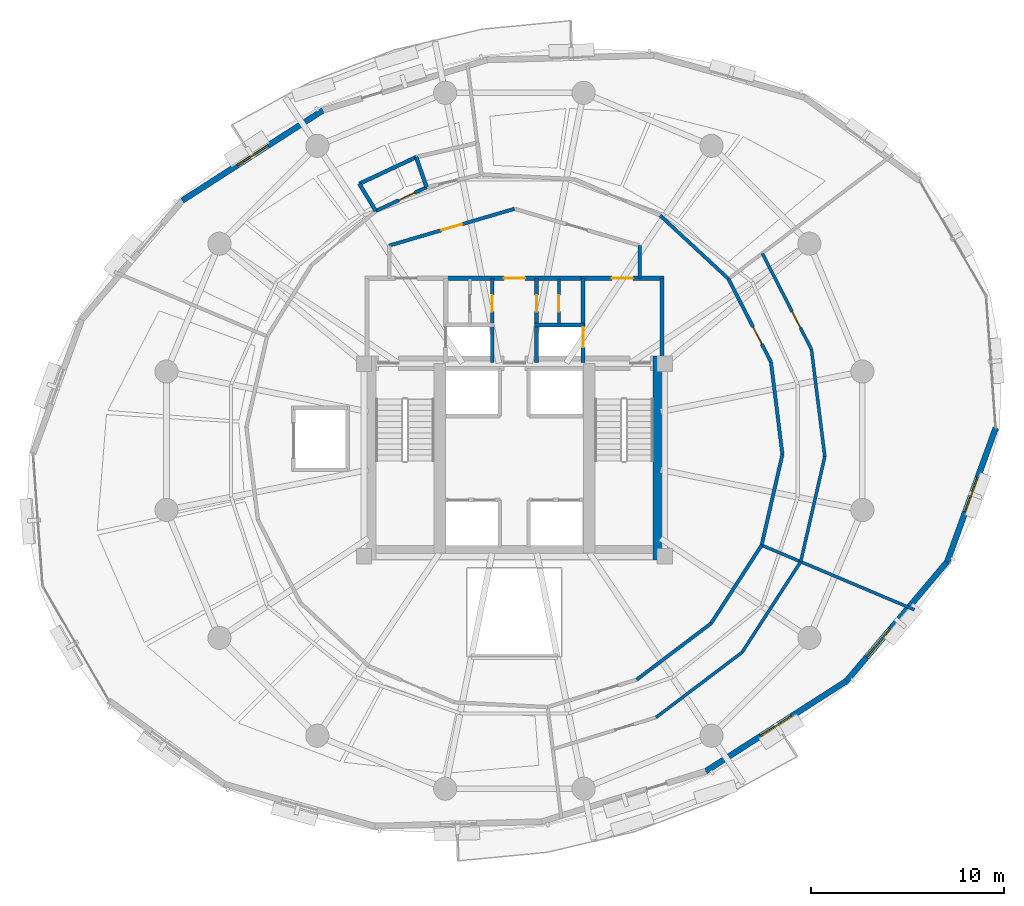
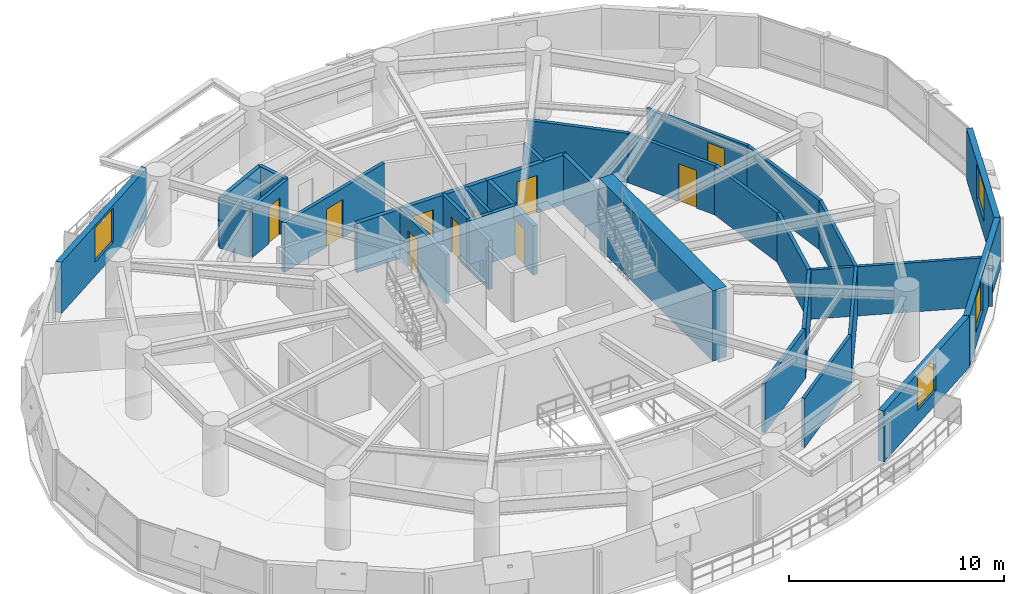
# One storey, part 11 of 15: 31 walls, 10 doors, 4 windows, 14 openings.
"""IFC4 building model written with IfcOpenShell, lengths in metres."""

from ifc_helpers import new_model, si_unit, direction, frame, frame_2d, origin, place, context, subcontext, project, spatial, rectangle, extrude, material, layer, layer_set, type_object, element, fill, save


model = new_model("IFC4")

# Units and contexts
model_context = context("Model", 3, precision=1e-05, world=origin(), true_north=direction((0.0, 1.0)))
body_context = subcontext(model_context, "Body", "Model", "MODEL_VIEW")
ifc_project = project(units=[si_unit("LENGTHUNIT", "METRE"), si_unit("AREAUNIT", "SQUARE_METRE"), si_unit("VOLUMEUNIT", "CUBIC_METRE"), si_unit("PLANEANGLEUNIT", "RADIAN"), si_unit("MASSUNIT", "GRAM", prefix="KILO"), si_unit("THERMODYNAMICTEMPERATUREUNIT", "KELVIN"), si_unit("POWERUNIT", "WATT")], contexts=[model_context])

# Site, building, storey
site_placement = place(None, origin())
site = spatial("IfcSite", under=ifc_project, at=site_placement, CompositionType="ELEMENT")
building_placement = place(site_placement, origin())
building = spatial("IfcBuilding", under=site, at=building_placement, Name="Ocrelia Relay Tower", CompositionType="ELEMENT")
storey_placement = place(building_placement, frame((0.0, 0.0, 105.800048828125)))
storey = spatial("IfcBuildingStorey", under=building, at=storey_placement, Name="L24", CompositionType="ELEMENT", Elevation=105.800048828125)

# Walls
ifc_material_1 = material(Name="Concrete C60/75", Category="concrete")
ifc_layer_1 = layer(ifc_material_1, 0.75, Name="Concrete C60/75")
ifc_layer_set_1 = layer_set([ifc_layer_1], Name="Concrete C60/75")
wall_type_1 = type_object("IfcWallType", Name="CW-CORE-750", PredefinedType="SHEAR", material=ifc_layer_set_1)
wall_1_placement = place(storey_placement, frame((41.56298828125, 19.81201171875, 0.0), z_axis=(0.0, 0.0, 1.0), x_axis=(0.0, 1.0, 0.0)))
element("IfcWall", 1, at=wall_1_placement, inside=storey, type_object=wall_type_1, Name="L24 Core Shear Wall E", PredefinedType="SHEAR", context=body_context, shape_type="SweptSolid", body=[
    extrude(rectangle(XDim=10.575927734375, YDim=0.75, at=frame_2d((5.2880859375, 0.0))), origin(), (0.0, 0.0, 1.0), 4.0),
])
ifc_material_2 = material(Name="Gypsum Fireboard Partition EI60", Category="gypsum")
ifc_layer_2 = layer(ifc_material_2, 0.179931640625, Name="Gypsum Fireboard Partition EI60")
ifc_layer_set_2 = layer_set([ifc_layer_2], Name="Gypsum Fireboard Partition EI60")
wall_type_2 = type_object("IfcWallType", Name="W-CORR-EI60-180", PredefinedType="PARTITIONING", material=ifc_layer_set_2)
wall_2_placement = place(storey_placement, frame((40.5, 36.122802734375, 0.0), z_axis=(0.0, 0.0, 1.0), x_axis=(0.0, -1.0, 0.0)))
element("IfcWall", 2, at=wall_2_placement, inside=storey, type_object=wall_type_2, Name="L24 Smoke Lobby East Return", PredefinedType="PARTITIONING", context=body_context, shape_type="SweptSolid", body=[
    extrude(rectangle(XDim=1.69287109375, YDim=0.179931640625, at=frame_2d((0.846435546875, 0.0))), origin(), (0.0, 0.0, 1.0), 2.800048828125),
])

# Wall, opening, door
wall_3_placement = place(storey_placement, frame((27.5, 36.122802734375, 0.0), z_axis=(0.0, 0.0, 1.0), x_axis=(0.959546654541, 0.281549671923, 0.0)))
wall_3 = element("IfcWall", 3, at=wall_3_placement, inside=storey, type_object=wall_type_2, Name="L24 North Smoke Lobby W Screen Wall", PredefinedType="PARTITIONING", context=body_context, shape_type="SweptSolid", body=[
    extrude(rectangle(XDim=6.77392578125, YDim=0.179931640625, at=frame_2d((3.386962890625, 0.0))), origin(), (0.0, 0.0, 1.0), 2.800048828125),
])
opening_1_placement = place(wall_3_placement, frame((2.8369140625, 0.0, 0.0)))
opening_1 = element("IfcOpeningElement", 4, at=opening_1_placement, cuts=wall_3, Name="Opening D-FD60", PredefinedType="OPENING", context=body_context, shape_type="SweptSolid", body=[
    extrude(rectangle(XDim=1.10009765625, YDim=2.14990234375, at=frame_2d((0.550048828125, 1.074951171875))), frame((0.0, 0.10009765625, 0.0), z_axis=(0.0, -1.0, 0.0), x_axis=(1.0, 0.0, 0.0)), (0.0, 0.0, 1.0), 0.199951171875),
])
ifc_material_3 = material(Name="Timber-core 60-min acoustic fire door", Category="wood")
door_type_1 = type_object("IfcDoorType", Name="DR-LOBBY-FD60-1100", OperationType="NOTDEFINED", PredefinedType="DOOR", material=ifc_material_3)
door_1_placement = place(opening_1_placement, origin())
door_1 = element("IfcDoor", 5, at=door_1_placement, inside=storey, type_object=door_type_1, Name="L24 North Smoke Lobby W Fire Door", OperationType="SINGLE_SWING_RIGHT", OverallHeight=2.14990234375, OverallWidth=1.10009765625, PredefinedType="DOOR", context=body_context, shape_type="SweptSolid", body=[
    extrude(rectangle(XDim=1.10009765625, YDim=2.14990234375, at=frame_2d((0.550048828125, 1.074951171875))), frame((0.0, 0.02490234375, 0.0), z_axis=(0.0, -1.0, 0.0), x_axis=(1.0, 0.0, 0.0)), (0.0, 0.0, 1.0), 0.050048828125),
])
fill(opening_1, door_1)

wall_4_placement = place(storey_placement, frame((29.445068359375, 39.15380859375, 0.0), z_axis=(0.0, 0.0, 1.0), x_axis=(-0.905545564417, -0.424249019757, 0.0)))
wall_4 = element("IfcWall", 6, at=wall_4_placement, inside=storey, type_object=wall_type_2, Name="L24 Accessible Toilet Corridor Wall", PredefinedType="PARTITIONING", context=body_context, shape_type="SweptSolid", body=[
    extrude(rectangle(XDim=2.91015625, YDim=0.179931640625, at=frame_2d((1.455078125, 0.0))), origin(), (0.0, 0.0, 1.0), 2.800048828125),
])
opening_2_placement = place(wall_4_placement, frame((0.6689453125, 0.0, 0.0)))
opening_2 = element("IfcOpeningElement", 7, at=opening_2_placement, cuts=wall_4, Name="Opening D-WC92", PredefinedType="OPENING", context=body_context, shape_type="SweptSolid", body=[
    extrude(rectangle(XDim=0.919921875, YDim=2.10009765625, at=frame_2d((0.4599609375, 1.050048828125))), frame((0.0, 0.10009765625, 0.0), z_axis=(0.0, -1.0, 0.0), x_axis=(1.0, 0.0, 0.0)), (0.0, 0.0, 1.0), 0.199951171875),
])
ifc_material_4 = material(Name="Laminate washroom door", Category="wood")
door_type_2 = type_object("IfcDoorType", Name="DR-WC-920", OperationType="NOTDEFINED", PredefinedType="DOOR", material=ifc_material_4)
door_2_placement = place(opening_2_placement, origin())
door_2 = element("IfcDoor", 8, at=door_2_placement, inside=storey, type_object=door_type_2, Name="L24 Accessible Toilet Door", OperationType="SINGLE_SWING_LEFT", OverallHeight=2.10009765625, OverallWidth=0.919921875, PredefinedType="DOOR", context=body_context, shape_type="SweptSolid", body=[
    extrude(rectangle(XDim=0.919921875, YDim=2.10009765625, at=frame_2d((0.4599609375, 1.050048828125))), frame((0.0, 0.02490234375, 0.0), z_axis=(0.0, -1.0, 0.0), x_axis=(1.0, 0.0, 0.0)), (0.0, 0.0, 1.0), 0.050048828125),
])
fill(opening_2, door_2)

# Walls
for number, where, z_axis, x_axis, name in (
    (9, (40.34130859375, 13.608154296875, 0.0), (0.0, 0.0, 1.0), (0.797563327101, 0.60323522714, 0.0), "L24 Routing Office C Corridor Partition 2"),
    (10, (44.197021484375, 16.5244140625, 0.0), (0.0, 0.0, 1.0), (0.543180083248, 0.839616220164, 0.0), "L24 Routing Office C Corridor Partition 3"),
):
    element("IfcWall", number, at=place(storey_placement, frame(where, z_axis=z_axis, x_axis=x_axis)), inside=storey, type_object=wall_type_2, Name=name, PredefinedType="PARTITIONING", context=body_context, shape_type="SweptSolid", body=[
        extrude(rectangle(XDim=4.83447265625, YDim=0.179931640625, at=frame_2d((2.417236328125, 0.0))), origin(), (0.0, 0.0, 1.0), 2.800048828125),
    ])
wall_5_placement = place(storey_placement, frame((46.822998046875, 20.58349609375, 0.0), z_axis=(0.0, 0.0, 1.0), x_axis=(0.223225205637, 0.974766899094, 0.0)))
element("IfcWall", 11, at=wall_5_placement, inside=storey, type_object=wall_type_2, Name="L24 Peering Conference Room Corridor Partition 1", PredefinedType="PARTITIONING", context=body_context, shape_type="SweptSolid", body=[
    extrude(rectangle(XDim=4.834228515625, YDim=0.179931640625, at=frame_2d((2.4169921875, 0.0))), origin(), (0.0, 0.0, 1.0), 2.800048828125),
])
wall_6_placement = place(storey_placement, frame((47.902099609375, 25.295654296875, 0.0), z_axis=(0.0, 0.0, 1.0), x_axis=(-0.123574778046, 0.992335263019, 0.0)))
element("IfcWall", 12, at=wall_6_placement, inside=storey, type_object=wall_type_2, Name="L24 Peering Conference Room Corridor Partition 2", PredefinedType="PARTITIONING", context=body_context, shape_type="SweptSolid", body=[
    extrude(rectangle(XDim=4.83447265625, YDim=0.179931640625, at=frame_2d((2.417236328125, 0.0))), origin(), (0.0, 0.0, 1.0), 2.800048828125),
])

# Wall, opening, door
wall_7_placement = place(storey_placement, frame((47.3046875, 30.093017578125, 0.0), z_axis=(0.0, 0.0, 1.0), x_axis=(-0.455556779265, 0.890206729286, 0.0)))
wall_7 = element("IfcWall", 13, at=wall_7_placement, inside=storey, type_object=wall_type_2, Name="L24 Peering Conference Room Corridor Partition 3", PredefinedType="PARTITIONING", context=body_context, shape_type="SweptSolid", body=[
    extrude(rectangle(XDim=4.83447265625, YDim=0.179931640625, at=frame_2d((2.417236328125, 0.0))), origin(), (0.0, 0.0, 1.0), 2.800048828125),
])
opening_3_placement = place(wall_7_placement, frame((1.03369140625, 0.0, 0.0)))
opening_3 = element("IfcOpeningElement", 14, at=opening_3_placement, cuts=wall_7, Name="Opening D-RM100", PredefinedType="OPENING", context=body_context, shape_type="SweptSolid", body=[
    extrude(rectangle(XDim=1.0, YDim=2.14990234375, at=frame_2d((0.5, 1.074951171875))), frame((0.0, 0.10009765625, 0.0), z_axis=(0.0, -1.0, 0.0), x_axis=(1.0, 0.0, 0.0)), (0.0, 0.0, 1.0), 0.199951171875),
])
ifc_material_5 = material(Name="Acoustic oak veneer fire door", Category="wood")
door_type_3 = type_object("IfcDoorType", Name="DR-ROOM-FD60-1000", OperationType="NOTDEFINED", PredefinedType="DOOR", material=ifc_material_5)
door_3_placement = place(opening_3_placement, origin())
door_3 = element("IfcDoor", 15, at=door_3_placement, inside=storey, type_object=door_type_3, Name="L24 Peering Conference Room Entrance Door", OperationType="SINGLE_SWING_RIGHT", OverallHeight=2.14990234375, OverallWidth=1.0, PredefinedType="DOOR", context=body_context, shape_type="SweptSolid", body=[
    extrude(rectangle(XDim=1.0, YDim=2.14990234375, at=frame_2d((0.5, 1.074951171875))), frame((0.0, 0.02490234375, 0.0), z_axis=(0.0, -1.0, 0.0), x_axis=(1.0, 0.0, 0.0)), (0.0, 0.0, 1.0), 0.050048828125),
])
fill(opening_3, door_3)

# Wall
wall_8_placement = place(storey_placement, frame((45.102294921875, 34.396728515625, 0.0), z_axis=(0.0, 0.0, 1.0), x_axis=(-0.732539820955, 0.680724181086, 0.0)))
element("IfcWall", 16, at=wall_8_placement, inside=storey, type_object=wall_type_2, Name="L24 Shift Staff Lounge Corridor Partition 1", PredefinedType="PARTITIONING", context=body_context, shape_type="SweptSolid", body=[
    extrude(rectangle(XDim=4.834228515625, YDim=0.179931640625, at=frame_2d((2.4169921875, 0.0))), origin(), (0.0, 0.0, 1.0), 2.800048828125),
])

# Wall, opening, window
ifc_material_6 = material(Name="Precast concrete C40/50 with oxide terracotta", Category="masonry")
ifc_layer_3 = layer(ifc_material_6, 0.300048828125, Name="Precast concrete C40/50 with oxide terracotta")
ifc_layer_set_3 = layer_set([ifc_layer_3], Name="Precast concrete C40/50 with oxide terracotta")
wall_type_3 = type_object("IfcWallType", Name="W-EXT-TERR-300", PredefinedType="SOLIDWALL", material=ifc_layer_set_3)
wall_9_placement = place(storey_placement, frame((24.075439453125, 43.141845703125, 0.0), z_axis=(0.0, 0.0, 1.0), x_axis=(-0.841771559064, -0.539833902557, 0.0)))
wall_9 = element("IfcWall", 17, at=wall_9_placement, inside=storey, type_object=wall_type_3, Name="L24 Oxide Terracotta Facade Wall 06", PredefinedType="SOLIDWALL", context=body_context, shape_type="SweptSolid", body=[
    extrude(rectangle(XDim=8.6728515625, YDim=0.300048828125, at=frame_2d((4.33642578125, 0.0))), origin(), (0.0, 0.0, 1.0), 2.89990234375),
])
opening_4_placement = place(wall_9_placement, frame((3.385986328125, 0.0, 0.800048828125)))
opening_4 = element("IfcOpeningElement", 18, at=opening_4_placement, cuts=wall_9, Name="Opening W-06", PredefinedType="OPENING", context=body_context, shape_type="SweptSolid", body=[
    extrude(rectangle(XDim=1.89990234375, YDim=1.949951171875, at=frame_2d((0.949951171875, 0.97509765625))), frame((0.0, 0.16015625, 0.0), z_axis=(0.0, -1.0, 0.0), x_axis=(1.0, 0.0, 0.0)), (0.0, 0.0, 1.0), 0.320068359375),
])
ifc_material_7 = material(Name="Clear double-glazed low-E glass", Category="glass")
window_type = type_object("IfcWindowType", Name="WIN-Z2-1900x2100", PartitioningType="DOUBLE_PANEL_VERTICAL", PredefinedType="WINDOW", material=ifc_material_7)
window_1_placement = place(opening_4_placement, origin())
window_1 = element("IfcWindow", 19, at=window_1_placement, inside=storey, type_object=window_type, Name="L24 Facade Module Window 06", OverallHeight=1.949951171875, OverallWidth=1.89990234375, PartitioningType="SINGLE_PANEL", PredefinedType="WINDOW", context=body_context, shape_type="SweptSolid", body=[
    extrude(rectangle(XDim=1.89990234375, YDim=1.949951171875, at=frame_2d((0.949951171875, 0.97509765625))), frame((0.0, 0.030029296875, 0.0), z_axis=(0.0, -1.0, 0.0), x_axis=(1.0, 0.0, 0.0)), (0.0, 0.0, 1.0), 0.06005859375),
])
fill(opening_4, window_1)

wall_10_placement = place(storey_placement, frame((43.924560546875, 8.858154296875, 0.0), z_axis=(0.0, 0.0, 1.0), x_axis=(0.841771559064, 0.539833902557, 0.0)))
wall_10 = element("IfcWall", 20, at=wall_10_placement, inside=storey, type_object=wall_type_3, Name="L24 Oxide Terracotta Facade Wall 15", PredefinedType="SOLIDWALL", context=body_context, shape_type="SweptSolid", body=[
    extrude(rectangle(XDim=8.6728515625, YDim=0.300048828125, at=frame_2d((4.33642578125, 0.0))), origin(), (0.0, 0.0, 1.0), 2.89990234375),
])
opening_5_placement = place(wall_10_placement, frame((3.385986328125, 0.0, 0.800048828125)))
opening_5 = element("IfcOpeningElement", 21, at=opening_5_placement, cuts=wall_10, Name="Opening W-06", PredefinedType="OPENING", context=body_context, shape_type="SweptSolid", body=[
    extrude(rectangle(XDim=1.89990234375, YDim=1.949951171875, at=frame_2d((0.949951171875, 0.97509765625))), frame((0.0, 0.16015625, 0.0), z_axis=(0.0, -1.0, 0.0), x_axis=(1.0, 0.0, 0.0)), (0.0, 0.0, 1.0), 0.320068359375),
])
window_2_placement = place(opening_5_placement, origin())
window_2 = element("IfcWindow", 22, at=window_2_placement, inside=storey, type_object=window_type, Name="L24 Facade Module Window 15", OverallHeight=1.949951171875, OverallWidth=1.89990234375, PartitioningType="SINGLE_PANEL", PredefinedType="WINDOW", context=body_context, shape_type="SweptSolid", body=[
    extrude(rectangle(XDim=1.89990234375, YDim=1.949951171875, at=frame_2d((0.949951171875, 0.97509765625))), frame((0.0, 0.030029296875, 0.0), z_axis=(0.0, -1.0, 0.0), x_axis=(1.0, 0.0, 0.0)), (0.0, 0.0, 1.0), 0.06005859375),
])
fill(opening_5, window_2)

wall_11_placement = place(storey_placement, frame((51.22509765625, 13.5400390625, 0.0), z_axis=(0.0, 0.0, 1.0), x_axis=(0.645225416489, 0.763992252524, 0.0)))
wall_11 = element("IfcWall", 23, at=wall_11_placement, inside=storey, type_object=wall_type_3, Name="L24 Oxide Terracotta Facade Wall 16", PredefinedType="SOLIDWALL", context=body_context, shape_type="SweptSolid", body=[
    extrude(rectangle(XDim=8.094970703125, YDim=0.300048828125, at=frame_2d((4.04736328125, 0.0))), origin(), (0.0, 0.0, 1.0), 2.89990234375),
])
opening_6_placement = place(wall_11_placement, frame((1.614990234375, 0.0, 0.800048828125)))
opening_6 = element("IfcOpeningElement", 24, at=opening_6_placement, cuts=wall_11, Name="Opening W-06", PredefinedType="OPENING", context=body_context, shape_type="SweptSolid", body=[
    extrude(rectangle(XDim=1.89990234375, YDim=1.949951171875, at=frame_2d((0.949951171875, 0.97509765625))), frame((0.0, 0.16015625, 0.0), z_axis=(0.0, -1.0, 0.0), x_axis=(1.0, 0.0, 0.0)), (0.0, 0.0, 1.0), 0.320068359375),
])
window_3_placement = place(opening_6_placement, origin())
window_3 = element("IfcWindow", 25, at=window_3_placement, inside=storey, type_object=window_type, Name="L24 Facade Module Window 16", OverallHeight=1.949951171875, OverallWidth=1.89990234375, PartitioningType="SINGLE_PANEL", PredefinedType="WINDOW", context=body_context, shape_type="SweptSolid", body=[
    extrude(rectangle(XDim=1.89990234375, YDim=1.949951171875, at=frame_2d((0.949951171875, 0.97509765625))), frame((0.0, 0.030029296875, 0.0), z_axis=(0.0, -1.0, 0.0), x_axis=(1.0, 0.0, 0.0)), (0.0, 0.0, 1.0), 0.06005859375),
])
fill(opening_6, window_3)

wall_12_placement = place(storey_placement, frame((56.4482421875, 19.724609375, 0.0), z_axis=(0.0, 0.0, 1.0), x_axis=(0.340712741233, 0.940167446767, 0.0)))
wall_12 = element("IfcWall", 26, at=wall_12_placement, inside=storey, type_object=wall_type_3, Name="L24 Oxide Terracotta Facade Wall 17", PredefinedType="SOLIDWALL", context=body_context, shape_type="SweptSolid", body=[
    extrude(rectangle(XDim=7.38330078125, YDim=0.300048828125, at=frame_2d((3.691650390625, 0.0))), origin(), (0.0, 0.0, 1.0), 2.89990234375),
])
opening_7_placement = place(wall_12_placement, frame((2.741943359375, 0.0, 0.800048828125)))
opening_7 = element("IfcOpeningElement", 27, at=opening_7_placement, cuts=wall_12, Name="Opening W-06", PredefinedType="OPENING", context=body_context, shape_type="SweptSolid", body=[
    extrude(rectangle(XDim=1.89990234375, YDim=1.949951171875, at=frame_2d((0.949951171875, 0.97509765625))), frame((0.0, 0.16015625, 0.0), z_axis=(0.0, -1.0, 0.0), x_axis=(1.0, 0.0, 0.0)), (0.0, 0.0, 1.0), 0.320068359375),
])
window_4_placement = place(opening_7_placement, origin())
window_4 = element("IfcWindow", 28, at=window_4_placement, inside=storey, type_object=window_type, Name="L24 Facade Module Window 17", OverallHeight=1.949951171875, OverallWidth=1.89990234375, PartitioningType="SINGLE_PANEL", PredefinedType="WINDOW", context=body_context, shape_type="SweptSolid", body=[
    extrude(rectangle(XDim=1.89990234375, YDim=1.949951171875, at=frame_2d((0.949951171875, 0.97509765625))), frame((0.0, 0.030029296875, 0.0), z_axis=(0.0, -1.0, 0.0), x_axis=(1.0, 0.0, 0.0)), (0.0, 0.0, 1.0), 0.06005859375),
])
fill(opening_7, window_4)

# Wall, opening, door
ifc_material_8 = material(Name="Concrete C50/60", Category="concrete")
ifc_layer_4 = layer(ifc_material_8, 0.219970703125, Name="Concrete C50/60")
ifc_layer_set_4 = layer_set([ifc_layer_4], Name="Concrete C50/60")
wall_type_4 = type_object("IfcWallType", Name="W-FFL-EI120-220", PredefinedType="SOLIDWALL", material=ifc_layer_set_4)
wall_13_placement = place(storey_placement, frame((37.56005859375, 30.050048828125, 0.0), z_axis=(0.0, 0.0, 1.0), x_axis=(0.0, 1.0, 0.0)))
wall_13 = element("IfcWall", 29, at=wall_13_placement, inside=storey, type_object=wall_type_4, Name="L24 E Fire Service Lift Lobby West Wall", PredefinedType="SOLIDWALL", context=body_context, shape_type="SweptSolid", body=[
    extrude(rectangle(XDim=4.3798828125, YDim=0.219970703125, at=frame_2d((2.18994140625, 0.0))), origin(), (0.0, 0.0, 1.0), 2.800048828125),
])
opening_8_placement = place(wall_13_placement, frame((0.800048828125, 0.0, 0.0)))
opening_8 = element("IfcOpeningElement", 30, at=opening_8_placement, cuts=wall_13, Name="Opening LD-FFL2", PredefinedType="OPENING", context=body_context, shape_type="SweptSolid", body=[
    extrude(rectangle(XDim=1.050048828125, YDim=2.10009765625, at=frame_2d((0.52490234375, 1.050048828125))), frame((0.0, 0.1201171875, 0.0), z_axis=(0.0, -1.0, 0.0), x_axis=(1.0, 0.0, 0.0)), (0.0, 0.0, 1.0), 0.239990234375),
])
ifc_material_9 = material(Name="Brushed stainless steel S355 lift landing door", Category="steel")
door_type_4 = type_object("IfcDoorType", Name="DR-LIFT-LAND-1050", OperationType="DOUBLE_DOOR_SLIDING", PredefinedType="USERDEFINED", material=ifc_material_9)
door_4_placement = place(opening_8_placement, origin())
door_4 = element("IfcDoor", 31, at=door_4_placement, inside=storey, type_object=door_type_4, Name="L24 Firefighting Lift FFL2 Sliding Landing Door", ObjectType="LANDING DOOR", OperationType="DOUBLE_DOOR_SLIDING", OverallHeight=2.10009765625, OverallWidth=1.050048828125, PredefinedType="USERDEFINED", context=body_context, shape_type="SweptSolid", body=[
    extrude(rectangle(XDim=1.050048828125, YDim=2.10009765625, at=frame_2d((0.52490234375, 1.050048828125))), frame((0.0, 0.02490234375, 0.0), z_axis=(0.0, -1.0, 0.0), x_axis=(1.0, 0.0, 0.0)), (0.0, 0.0, 1.0), 0.050048828125),
])
fill(opening_8, door_4)

# Wall
wall_14_placement = place(storey_placement, frame((41.64990234375, 30.050048828125, 0.0), z_axis=(0.0, 0.0, 1.0), x_axis=(0.0, 1.0, 0.0)))
element("IfcWall", 32, at=wall_14_placement, inside=storey, type_object=wall_type_4, Name="L24 E Fire Service Lift Lobby East Wall", PredefinedType="SOLIDWALL", context=body_context, shape_type="SweptSolid", body=[
    extrude(rectangle(XDim=4.3798828125, YDim=0.219970703125, at=frame_2d((2.18994140625, 0.0))), origin(), (0.0, 0.0, 1.0), 2.800048828125),
])

# Wall, opening, door
wall_15_placement = place(storey_placement, frame((37.449951171875, 34.429931640625, 0.0), z_axis=(0.0, 0.0, 1.0), x_axis=(1.0, 0.0, 0.0)))
wall_15 = element("IfcWall", 33, at=wall_15_placement, inside=storey, type_object=wall_type_4, Name="L24 E Fire Service Lift Lobby North Wall", PredefinedType="SOLIDWALL", context=body_context, shape_type="SweptSolid", body=[
    extrude(rectangle(XDim=4.31005859375, YDim=0.219970703125, at=frame_2d((2.155029296875, 0.0))), origin(), (0.0, 0.0, 1.0), 2.800048828125),
])
opening_9_placement = place(wall_15_placement, frame((1.60009765625, 0.0, 0.0)))
opening_9 = element("IfcOpeningElement", 34, at=opening_9_placement, cuts=wall_15, Name="Opening D-FD60", PredefinedType="OPENING", context=body_context, shape_type="SweptSolid", body=[
    extrude(rectangle(XDim=1.10009765625, YDim=2.14990234375, at=frame_2d((0.550048828125, 1.074951171875))), frame((0.0, 0.1201171875, 0.0), z_axis=(0.0, -1.0, 0.0), x_axis=(1.0, 0.0, 0.0)), (0.0, 0.0, 1.0), 0.239990234375),
])
door_5_placement = place(opening_9_placement, origin())
door_5 = element("IfcDoor", 35, at=door_5_placement, inside=storey, type_object=door_type_1, Name="L24 E Fire Service Lift Lobby Exit Door", OperationType="SINGLE_SWING_LEFT", OverallHeight=2.14990234375, OverallWidth=1.10009765625, PredefinedType="DOOR", context=body_context, shape_type="SweptSolid", body=[
    extrude(rectangle(XDim=1.10009765625, YDim=2.14990234375, at=frame_2d((0.550048828125, 1.074951171875))), frame((0.0, 0.02490234375, 0.0), z_axis=(0.0, -1.0, 0.0), x_axis=(1.0, 0.0, 0.0)), (0.0, 0.0, 1.0), 0.050048828125),
])
fill(opening_9, door_5)

wall_16_placement = place(storey_placement, frame((30.43994140625, 34.429931640625, 0.0), z_axis=(0.0, 0.0, 1.0), x_axis=(1.0, 0.0, 0.0)))
wall_16 = element("IfcWall", 36, at=wall_16_placement, inside=storey, type_object=wall_type_4, Name="L24 North Core Vestibule Wall", PredefinedType="SOLIDWALL", context=body_context, shape_type="SweptSolid", body=[
    extrude(rectangle(XDim=7.1201171875, YDim=0.219970703125, at=frame_2d((3.56005859375, 0.0))), origin(), (0.0, 0.0, 1.0), 2.800048828125),
])
opening_10_placement = place(wall_16_placement, frame((3.010009765625, 0.0, 0.0)))
opening_10 = element("IfcOpeningElement", 37, at=opening_10_placement, cuts=wall_16, Name="Opening D-FD60", PredefinedType="OPENING", context=body_context, shape_type="SweptSolid", body=[
    extrude(rectangle(XDim=1.10009765625, YDim=2.14990234375, at=frame_2d((0.550048828125, 1.074951171875))), frame((0.0, 0.1201171875, 0.0), z_axis=(0.0, -1.0, 0.0), x_axis=(1.0, 0.0, 0.0)), (0.0, 0.0, 1.0), 0.239990234375),
])
door_6_placement = place(opening_10_placement, origin())
door_6 = element("IfcDoor", 38, at=door_6_placement, inside=storey, type_object=door_type_1, Name="L24 North Core Vestibule Corridor Door", OperationType="SINGLE_SWING_LEFT", OverallHeight=2.14990234375, OverallWidth=1.10009765625, PredefinedType="DOOR", context=body_context, shape_type="SweptSolid", body=[
    extrude(rectangle(XDim=1.10009765625, YDim=2.14990234375, at=frame_2d((0.550048828125, 1.074951171875))), frame((0.0, 0.02490234375, 0.0), z_axis=(0.0, -1.0, 0.0), x_axis=(1.0, 0.0, 0.0)), (0.0, 0.0, 1.0), 0.050048828125),
])
fill(opening_10, door_6)

ifc_material_10 = material(Name="Acoustic Fireboard Partition EI60", Category="gypsum")
ifc_layer_5 = layer(ifc_material_10, 0.14990234375, Name="Acoustic Fireboard Partition EI60")
ifc_layer_set_5 = layer_set([ifc_layer_5], Name="Acoustic Fireboard Partition EI60")
wall_type_5 = type_object("IfcWallType", Name="W-PART-150", PredefinedType="PARTITIONING", material=ifc_layer_set_5)
wall_17_placement = place(storey_placement, frame((36.31005859375, 32.050048828125, 0.0), z_axis=(0.0, 0.0, 1.0), x_axis=(0.0, 1.0, 0.0)))
wall_17 = element("IfcWall", 39, at=wall_17_placement, inside=storey, type_object=wall_type_5, Name="L24 East Core Support Partition", PredefinedType="PARTITIONING", context=body_context, shape_type="SweptSolid", body=[
    extrude(rectangle(XDim=2.329833984375, YDim=0.14990234375, at=frame_2d((1.1650390625, 0.0))), origin(), (0.0, 0.0, 1.0), 2.800048828125),
])
opening_11_placement = place(wall_17_placement, frame((0.64990234375, 0.0, 0.0)))
opening_11 = element("IfcOpeningElement", 40, at=opening_11_placement, cuts=wall_17, Name="Opening D-RS86", PredefinedType="OPENING", context=body_context, shape_type="SweptSolid", body=[
    extrude(rectangle(XDim=0.860107421875, YDim=2.050048828125, at=frame_2d((0.43017578125, 1.02490234375))), frame((0.0, 0.0849609375, 0.0), z_axis=(0.0, -1.0, 0.0), x_axis=(1.0, 0.0, 0.0)), (0.0, 0.0, 1.0), 0.169921875),
])
ifc_material_11 = material(Name="Steel S355 riser access fire door", Category="steel")
door_type_5 = type_object("IfcDoorType", Name="DR-RISER-TRAP-860", OperationType="NOTDEFINED", PredefinedType="TRAPDOOR", material=ifc_material_11)
door_7_placement = place(opening_11_placement, origin())
door_7 = element("IfcDoor", 41, at=door_7_placement, inside=storey, type_object=door_type_5, Name="L24 East Core Store Connecting Door", OperationType="SINGLE_SWING_LEFT", OverallHeight=2.050048828125, OverallWidth=0.860107421875, PredefinedType="TRAPDOOR", context=body_context, shape_type="SweptSolid", body=[
    extrude(rectangle(XDim=0.860107421875, YDim=2.050048828125, at=frame_2d((0.43017578125, 1.02490234375))), frame((0.0, 0.02490234375, 0.0), z_axis=(0.0, -1.0, 0.0), x_axis=(1.0, 0.0, 0.0)), (0.0, 0.0, 1.0), 0.050048828125),
])
fill(opening_11, door_7)

# Walls
ifc_layer_6 = layer(ifc_material_10, 0.159912109375, Name="Acoustic Fireboard Partition EI60")
ifc_layer_set_6 = layer_set([ifc_layer_6], Name="Acoustic Fireboard Partition EI60")
wall_type_6 = type_object("IfcWallType", Name="W-PART-160", PredefinedType="PARTITIONING", material=ifc_layer_set_6)
wall_18_placement = place(storey_placement, frame((46.822998046875, 20.58349609375, 0.0), z_axis=(0.0, 0.0, 1.0), x_axis=(0.921181314458, -0.389133635007, 0.0)))
element("IfcWall", 42, at=wall_18_placement, inside=storey, type_object=wall_type_6, Name="L24 Routing Office C Radial Partition", PredefinedType="PARTITIONING", context=body_context, shape_type="SweptSolid", body=[
    extrude(rectangle(XDim=8.604736328125, YDim=0.159912109375, at=frame_2d((4.30224609375, 0.0))), origin(), (0.0, 0.0, 1.0), 2.800048828125),
])
for number, where, z_axis, x_axis, name in (
    (43, (41.343505859375, 11.64990234375, 0.0), (0.0, 0.0, 1.0), (0.797581034764, 0.603211814361, 0.0), "L24 Perimeter Routing Office C Mid-Ring Partition 2"),
    (44, (45.80859375, 15.02685546875, 0.0), (0.0, 0.0, 1.0), (0.54319522327, 0.839606425307, 0.0), "L24 Perimeter Routing Office C Mid-Ring Partition 3"),
    (45, (48.849609375, 19.727294921875, 0.0), (0.0, 0.0, 1.0), (0.223238041725, 0.974763959493, 0.0), "L24 Perimeter Peering Conference Room Mid-Ring Partition 1"),
):
    element("IfcWall", number, at=place(storey_placement, frame(where, z_axis=z_axis, x_axis=x_axis)), inside=storey, type_object=wall_type_6, Name=name, PredefinedType="PARTITIONING", context=body_context, shape_type="SweptSolid", body=[
        extrude(rectangle(XDim=5.598388671875, YDim=0.159912109375, at=frame_2d((2.79931640625, 0.0))), origin(), (0.0, 0.0, 1.0), 2.800048828125),
    ])
wall_19_placement = place(storey_placement, frame((50.099365234375, 25.184326171875, 0.0), z_axis=(0.0, 0.0, 1.0), x_axis=(-0.123583886481, 0.99233412871, 0.0)))
element("IfcWall", 46, at=wall_19_placement, inside=storey, type_object=wall_type_6, Name="L24 Perimeter Peering Conference Room Mid-Ring Partition 2", PredefinedType="PARTITIONING", context=body_context, shape_type="SweptSolid", body=[
    extrude(rectangle(XDim=5.5986328125, YDim=0.159912109375, at=frame_2d((2.79931640625, 0.0))), origin(), (0.0, 0.0, 1.0), 2.800048828125),
])

# Wall, opening, door
wall_20_placement = place(storey_placement, frame((49.407470703125, 30.739990234375, 0.0), z_axis=(0.0, 0.0, 1.0), x_axis=(-0.455549750897, 0.890210325967, 0.0)))
wall_20 = element("IfcWall", 47, at=wall_20_placement, inside=storey, type_object=wall_type_6, Name="L24 Perimeter Peering Conference Room Mid-Ring Partition 3", PredefinedType="PARTITIONING", context=body_context, shape_type="SweptSolid", body=[
    extrude(rectangle(XDim=5.598388671875, YDim=0.159912109375, at=frame_2d((2.79931640625, 0.0))), origin(), (0.0, 0.0, 1.0), 2.800048828125),
])
opening_12_placement = place(wall_20_placement, frame((1.252197265625, 0.0, 0.0)))
opening_12 = element("IfcOpeningElement", 48, at=opening_12_placement, cuts=wall_20, Name="Opening D-RM95", PredefinedType="OPENING", context=body_context, shape_type="SweptSolid", body=[
    extrude(rectangle(XDim=0.949951171875, YDim=2.14990234375, at=frame_2d((0.47509765625, 1.074951171875))), frame((0.0, 0.08984375, 0.0), z_axis=(0.0, -1.0, 0.0), x_axis=(1.0, 0.0, 0.0)), (0.0, 0.0, 1.0), 0.179931640625),
])
door_type_6 = type_object("IfcDoorType", Name="DR-ROOM-950", OperationType="NOTDEFINED", PredefinedType="DOOR", material=ifc_material_5)
door_8_placement = place(opening_12_placement, origin())
door_8 = element("IfcDoor", 49, at=door_8_placement, inside=storey, type_object=door_type_6, Name="L24 Perimeter Peering Conference Room Connecting Door", OperationType="SINGLE_SWING_LEFT", OverallHeight=2.14990234375, OverallWidth=0.949951171875, PredefinedType="DOOR", context=body_context, shape_type="SweptSolid", body=[
    extrude(rectangle(XDim=0.949951171875, YDim=2.14990234375, at=frame_2d((0.47509765625, 1.074951171875))), frame((0.0, 0.02490234375, 0.0), z_axis=(0.0, -1.0, 0.0), x_axis=(1.0, 0.0, 0.0)), (0.0, 0.0, 1.0), 0.050048828125),
])
fill(opening_12, door_8)

# Walls
ifc_material_12 = material(Name="Moisture-Resistant Fireboard Chase Wall EI60", Category="gypsum")
ifc_layer_7 = layer(ifc_material_12, 0.199951171875, Name="Moisture-Resistant Fireboard Chase Wall EI60")
ifc_layer_set_7 = layer_set([ifc_layer_7], Name="Moisture-Resistant Fireboard Chase Wall EI60")
wall_type_7 = type_object("IfcWallType", Name="W-PLUMB-200", PredefinedType="PLUMBINGWALL", material=ifc_layer_set_7)
for number, where, z_axis, x_axis, name in (
    (50, (29.445068359375, 39.15380859375, 0.0), (0.0, 0.0, 1.0), (-0.327171551358, 0.944964960187, 0.0), "L24 Staff Toilet Plumbing Radial Wall"),
    (51, (26.809814453125, 37.919189453125, 0.0), (0.0, 0.0, 1.0), (-0.516539665959, 0.85626326179, 0.0), "L24 Accessible Toilet Plumbing Radial Wall"),
):
    element("IfcWall", number, at=place(storey_placement, frame(where, z_axis=z_axis, x_axis=x_axis)), inside=storey, type_object=wall_type_7, Name=name, PredefinedType="PLUMBINGWALL", context=body_context, shape_type="SweptSolid", body=[
        extrude(rectangle(XDim=1.64990234375, YDim=0.199951171875, at=frame_2d((0.824951171875, 0.0))), origin(), (0.0, 0.0, 1.0), 2.800048828125),
    ])
wall_21_placement = place(storey_placement, frame((28.9052734375, 40.712890625, 0.0), z_axis=(0.0, 0.0, 1.0), x_axis=(-0.905565194379, -0.424207117725, 0.0)))
element("IfcWall", 52, at=wall_21_placement, inside=storey, type_object=wall_type_7, Name="L24 Accessible Toilet Back Plumbing Wall", PredefinedType="PLUMBINGWALL", context=body_context, shape_type="SweptSolid", body=[
    extrude(rectangle(XDim=3.255126953125, YDim=0.199951171875, at=frame_2d((1.62744140625, 0.0))), origin(), (0.0, 0.0, 1.0), 2.800048828125),
])

# Wall, opening, door
ifc_layer_8 = layer(ifc_material_8, 0.199951171875, Name="Concrete C50/60")
ifc_layer_set_8 = layer_set([ifc_layer_8], Name="Concrete C50/60")
wall_type_8 = type_object("IfcWallType", Name="W-SHAFT-EI120-200", PredefinedType="SOLIDWALL", material=ifc_layer_set_8)
wall_22_placement = place(storey_placement, frame((32.85009765625, 30.050048828125, 0.0), z_axis=(0.0, 0.0, 1.0), x_axis=(0.0, 1.0, 0.0)))
wall_22 = element("IfcWall", 53, at=wall_22_placement, inside=storey, type_object=wall_type_8, Name="L24 FFL1 and Service Vestibule Wall", PredefinedType="SOLIDWALL", context=body_context, shape_type="SweptSolid", body=[
    extrude(rectangle(XDim=4.3798828125, YDim=0.199951171875, at=frame_2d((2.18994140625, 0.0))), origin(), (0.0, 0.0, 1.0), 2.800048828125),
])
opening_13_placement = place(wall_22_placement, frame((2.64990234375, 0.0, 0.0)))
opening_13 = element("IfcOpeningElement", 54, at=opening_13_placement, cuts=wall_22, Name="Opening D-RS86", PredefinedType="OPENING", context=body_context, shape_type="SweptSolid", body=[
    extrude(rectangle(XDim=0.860107421875, YDim=2.050048828125, at=frame_2d((0.43017578125, 1.02490234375))), frame((0.0, 0.10986328125, 0.0), z_axis=(0.0, -1.0, 0.0), x_axis=(1.0, 0.0, 0.0)), (0.0, 0.0, 1.0), 0.219970703125),
])
door_9_placement = place(opening_13_placement, origin())
door_9 = element("IfcDoor", 55, at=door_9_placement, inside=storey, type_object=door_type_5, Name="L24 Core Support Room W Door", OperationType="SINGLE_SWING_RIGHT", OverallHeight=2.050048828125, OverallWidth=0.860107421875, PredefinedType="TRAPDOOR", context=body_context, shape_type="SweptSolid", body=[
    extrude(rectangle(XDim=0.860107421875, YDim=2.050048828125, at=frame_2d((0.43017578125, 1.02490234375))), frame((0.0, 0.02490234375, 0.0), z_axis=(0.0, -1.0, 0.0), x_axis=(1.0, 0.0, 0.0)), (0.0, 0.0, 1.0), 0.050048828125),
])
fill(opening_13, door_9)

# Wall
wall_23_placement = place(storey_placement, frame((35.050048828125, 32.0, 0.0), z_axis=(0.0, 0.0, 1.0), x_axis=(1.0, 0.0, 0.0)))
element("IfcWall", 56, at=wall_23_placement, inside=storey, type_object=wall_type_8, Name="L24 FFL2 Hoistway North Wall", PredefinedType="SOLIDWALL", context=body_context, shape_type="SweptSolid", body=[
    extrude(rectangle(XDim=2.550048828125, YDim=0.199951171875, at=frame_2d((1.27490234375, 0.0))), origin(), (0.0, 0.0, 1.0), 2.800048828125),
])

# Wall, opening, door
wall_24_placement = place(storey_placement, frame((35.14990234375, 30.050048828125, 0.0), z_axis=(0.0, 0.0, 1.0), x_axis=(0.0, 1.0, 0.0)))
wall_24 = element("IfcWall", 57, at=wall_24_placement, inside=storey, type_object=wall_type_8, Name="L24 FFL2 and Service Vestibule Wall", PredefinedType="SOLIDWALL", context=body_context, shape_type="SweptSolid", body=[
    extrude(rectangle(XDim=4.3798828125, YDim=0.199951171875, at=frame_2d((2.18994140625, 0.0))), origin(), (0.0, 0.0, 1.0), 2.800048828125),
])
opening_14_placement = place(wall_24_placement, frame((2.64990234375, 0.0, 0.0)))
opening_14 = element("IfcOpeningElement", 58, at=opening_14_placement, cuts=wall_24, Name="Opening D-RS86", PredefinedType="OPENING", context=body_context, shape_type="SweptSolid", body=[
    extrude(rectangle(XDim=0.860107421875, YDim=2.050048828125, at=frame_2d((0.43017578125, 1.02490234375))), frame((0.0, 0.10986328125, 0.0), z_axis=(0.0, -1.0, 0.0), x_axis=(1.0, 0.0, 0.0)), (0.0, 0.0, 1.0), 0.219970703125),
])
door_10_placement = place(opening_14_placement, origin())
door_10 = element("IfcDoor", 59, at=door_10_placement, inside=storey, type_object=door_type_5, Name="L24 Core Support Room E Door", OperationType="SINGLE_SWING_RIGHT", OverallHeight=2.050048828125, OverallWidth=0.860107421875, PredefinedType="TRAPDOOR", context=body_context, shape_type="SweptSolid", body=[
    extrude(rectangle(XDim=0.860107421875, YDim=2.050048828125, at=frame_2d((0.43017578125, 1.02490234375))), frame((0.0, 0.02490234375, 0.0), z_axis=(0.0, -1.0, 0.0), x_axis=(1.0, 0.0, 0.0)), (0.0, 0.0, 1.0), 0.050048828125),
])
fill(opening_14, door_10)

save(model, "model.ifc")
